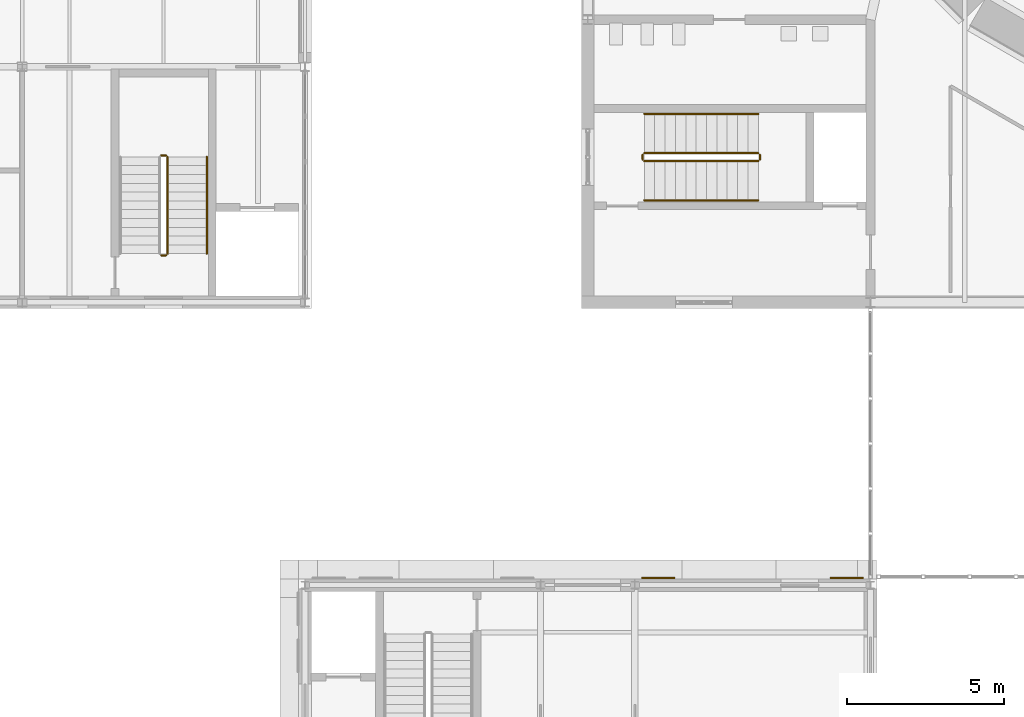
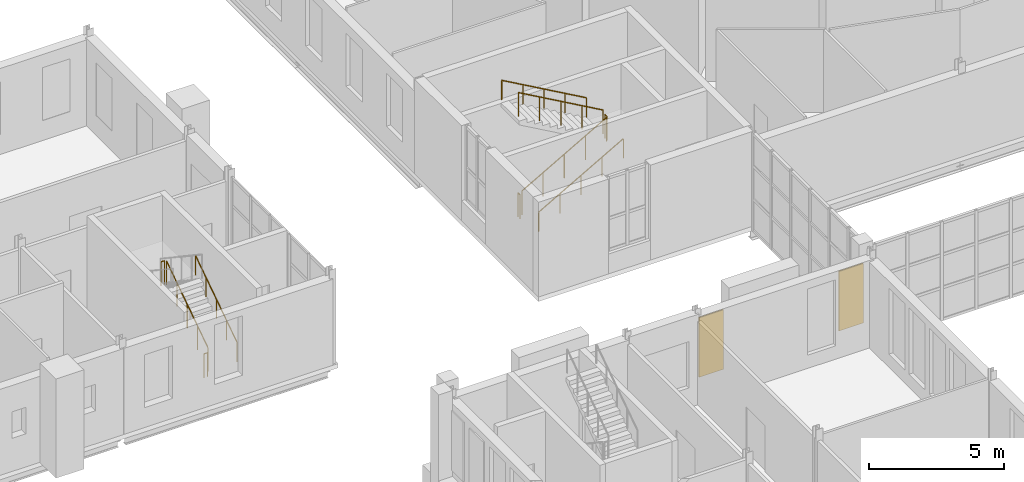
# One storey, part 119 of 131: 10 railings, 2 coverings.
"""IFC4 building model written with IfcOpenShell, lengths in metres."""

from ifc_helpers import new_model, si_unit, direction, frame, origin, origin_2d, place, context, subcontext, project, spatial, polyline, circle, outline, extrude, material, layer, layer_set, type_object, element, save


model = new_model("IFC4")

# Units and contexts
model_context = context("Model", 3, precision=1e-05, world=origin(), true_north=direction((0.0, 1.0)))
body_context = subcontext(model_context, "Body", "Model", "MODEL_VIEW")
ifc_project = project(units=[si_unit("LENGTHUNIT", "METRE"), si_unit("AREAUNIT", "SQUARE_METRE"), si_unit("VOLUMEUNIT", "CUBIC_METRE"), si_unit("PLANEANGLEUNIT", "RADIAN"), si_unit("MASSUNIT", "GRAM", prefix="KILO")], contexts=[model_context])

# Site, building, storey
site_placement = place(None, origin())
site = spatial("IfcSite", under=ifc_project, at=site_placement, CompositionType="ELEMENT")
building_placement = place(site_placement, origin())
building = spatial("IfcBuilding", under=site, at=building_placement, Name="Golden Quay Civic Hall", CompositionType="ELEMENT")
storey_placement = place(building_placement, frame((0.0, 0.0, 9.89990234375)))
storey = spatial("IfcBuildingStorey", under=building, at=storey_placement, Name="L02", CompositionType="ELEMENT", Elevation=9.89990234375)

# Railings
ifc_material_1 = material(Name="Steel S355", Category="steel")
railing_type_1 = type_object("IfcRailingType", Name="Steel guard 1100", PredefinedType="GUARDRAIL", material=ifc_material_1)
railing_1_placement = place(storey_placement, frame((64.800048828125, 67.5, 0.1875)))
element("IfcRailing", 1, at=railing_1_placement, inside=storey, type_object=railing_type_1, Name="L02 CB-SW stair guard 1", PredefinedType="GUARDRAIL", context=body_context, shape_type="SweptSolid", body=[
    extrude(circle(Radius=0.02392578125, at=origin_2d()), frame((0.0, 0.0, 1.076171875), z_axis=(0.869449707104, 0.0, 0.494021463923), x_axis=(0.0, 1.0, 0.0)), (0.0, 0.0, 1.0), 4.1748046875),
    extrude(circle(Radius=0.02099609375, at=origin_2d()), origin(), (0.0, 0.0, 1.0), 1.052001953125),
    extrude(circle(Radius=0.02099609375, at=origin_2d()), frame((0.907470703125, 0.0, 0.515625)), (0.0, 0.0, 1.0), 1.052001953125),
    extrude(circle(Radius=0.02099609375, at=origin_2d()), frame((1.81494140625, 0.0, 1.03125)), (0.0, 0.0, 1.0), 1.052001953125),
    extrude(circle(Radius=0.02099609375, at=origin_2d()), frame((2.722412109375, 0.0, 1.546875)), (0.0, 0.0, 1.0), 1.052001953125),
    extrude(circle(Radius=0.02099609375, at=origin_2d()), frame((3.6298828125, 0.0, 2.0625)), (0.0, 0.0, 1.0), 1.052001953125),
])
railing_2_placement = place(storey_placement, frame((68.47998046875, 67.550048828125, 2.25)))
element("IfcRailing", 2, at=railing_2_placement, inside=storey, type_object=railing_type_1, Name="L02 CB-SW stair guard 2", PredefinedType="GUARDRAIL", context=body_context, shape_type="SweptSolid", body=[
    extrude(circle(Radius=0.02392578125, at=origin_2d()), frame((0.0, 0.0, 1.076171875), z_axis=(0.0, 1.0, 0.0), x_axis=(-1.0, 0.0, 0.0)), (0.0, 0.0, 1.0), 0.14990234375),
    extrude(circle(Radius=0.02099609375, at=origin_2d()), origin(), (0.0, 0.0, 1.0), 1.052001953125),
    extrude(circle(Radius=0.02099609375, at=origin_2d()), frame((0.0, 0.14990234375, 0.0)), (0.0, 0.0, 1.0), 1.052001953125),
])
railing_3_placement = place(storey_placement, frame((68.429931640625, 67.75, 2.4375)))
element("IfcRailing", 3, at=railing_3_placement, inside=storey, type_object=railing_type_1, Name="L02 CB-SW stair guard 3", PredefinedType="GUARDRAIL", context=body_context, shape_type="SweptSolid", body=[
    extrude(circle(Radius=0.02392578125, at=origin_2d()), frame((0.0, 0.0, 1.076171875), z_axis=(-0.869449707104, 0.0, 0.494021463923), x_axis=(0.0, -1.0, 0.0)), (0.0, 0.0, 1.0), 4.1748046875),
    extrude(circle(Radius=0.02099609375, at=origin_2d()), origin(), (0.0, 0.0, 1.0), 1.052001953125),
    extrude(circle(Radius=0.02099609375, at=origin_2d()), frame((-0.907470703125, 0.0, 0.515625)), (0.0, 0.0, 1.0), 1.052001953125),
    extrude(circle(Radius=0.02099609375, at=origin_2d()), frame((-1.81494140625, 0.0, 1.03125)), (0.0, 0.0, 1.0), 1.052001953125),
    extrude(circle(Radius=0.02099609375, at=origin_2d()), frame((-2.722412109375, 0.0, 1.546875)), (0.0, 0.0, 1.0), 1.052001953125),
    extrude(circle(Radius=0.02099609375, at=origin_2d()), frame((-3.6298828125, 0.0, 2.0625)), (0.0, 0.0, 1.0), 1.052001953125),
])
railing_4_placement = place(storey_placement, frame((64.75, 67.550048828125, 0.0)))
element("IfcRailing", 4, at=railing_4_placement, inside=storey, type_object=railing_type_1, Name="L02 CB-SW stair guard 4", PredefinedType="GUARDRAIL", context=body_context, shape_type="SweptSolid", body=[
    extrude(circle(Radius=0.02392578125, at=origin_2d()), frame((0.0, 0.0, 1.076171875), z_axis=(0.0, 1.0, 0.0), x_axis=(-1.0, 0.0, 0.0)), (0.0, 0.0, 1.0), 0.14990234375),
    extrude(circle(Radius=0.02099609375, at=origin_2d()), origin(), (0.0, 0.0, 1.0), 1.052001953125),
    extrude(circle(Radius=0.02099609375, at=origin_2d()), frame((0.0, 0.14990234375, 0.0)), (0.0, 0.0, 1.0), 1.052001953125),
])
railing_5_placement = place(storey_placement, frame((49.625, 64.550048828125, 0.1875)))
element("IfcRailing", 5, at=railing_5_placement, inside=storey, type_object=railing_type_1, Name="L02 NW-E stair guard 1", PredefinedType="GUARDRAIL", context=body_context, shape_type="SweptSolid", body=[
    extrude(circle(Radius=0.02392578125, at=origin_2d()), frame((0.0, 0.0, 1.076171875), z_axis=(0.0, 0.830893310487, 0.556431762742), x_axis=(-1.0, 0.0, 0.0)), (0.0, 0.0, 1.0), 3.70654296875),
    extrude(circle(Radius=0.02099609375, at=origin_2d()), origin(), (0.0, 0.0, 1.0), 1.052001953125),
    extrude(circle(Radius=0.02099609375, at=origin_2d()), frame((0.0, 0.77001953125, 0.515625)), (0.0, 0.0, 1.0), 1.052001953125),
    extrude(circle(Radius=0.02099609375, at=origin_2d()), frame((0.0, 1.5400390625, 1.03125)), (0.0, 0.0, 1.0), 1.052001953125),
    extrude(circle(Radius=0.02099609375, at=origin_2d()), frame((0.0, 2.309814453125, 1.546875)), (0.0, 0.0, 1.0), 1.052001953125),
    extrude(circle(Radius=0.02099609375, at=origin_2d()), frame((0.0, 3.079833984375, 2.0625)), (0.0, 0.0, 1.0), 1.052001953125),
])
for number, where, name in (
    (6, (49.574951171875, 67.679931640625, 2.25), "L02 NW-E stair guard 2"),
    (7, (49.574951171875, 64.5, 0.0), "L02 NW-E stair guard 4"),
):
    element("IfcRailing", number, at=place(storey_placement, frame(where)), inside=storey, type_object=railing_type_1, Name=name, PredefinedType="GUARDRAIL", context=body_context, shape_type="SweptSolid", body=[
        extrude(circle(Radius=0.02392578125, at=origin_2d()), frame((0.0, 0.0, 1.076171875), z_axis=(-1.0, 0.0, 0.0), x_axis=(0.0, -1.0, 0.0)), (0.0, 0.0, 1.0), 0.14990234375),
        extrude(circle(Radius=0.02099609375, at=origin_2d()), origin(), (0.0, 0.0, 1.0), 1.052001953125),
        extrude(circle(Radius=0.02099609375, at=origin_2d()), frame((-0.14990234375, 0.0, 0.0)), (0.0, 0.0, 1.0), 1.052001953125),
    ])
ifc_material_2 = material(Name="Steel S355", Category="steel")
railing_type_2 = type_object("IfcRailingType", Name="Steel handrail 900", PredefinedType="HANDRAIL", material=ifc_material_2)
railing_6_placement = place(storey_placement, frame((64.800048828125, 66.25, 0.1875)))
element("IfcRailing", 8, at=railing_6_placement, inside=storey, type_object=railing_type_2, Name="L02 CB-SW stair handrail 1", PredefinedType="HANDRAIL", context=body_context, shape_type="SweptSolid", body=[
    extrude(circle(Radius=0.02392578125, at=origin_2d()), frame((0.0, 0.0, 0.8759765625), z_axis=(0.869449707104, 0.0, 0.494021463923), x_axis=(0.0, 1.0, 0.0)), (0.0, 0.0, 1.0), 4.1748046875),
    extrude(circle(Radius=0.02099609375, at=origin_2d()), origin(), (0.0, 0.0, 1.0), 0.851806640625),
    extrude(circle(Radius=0.02099609375, at=origin_2d()), frame((0.907470703125, 0.0, 0.515625)), (0.0, 0.0, 1.0), 0.851806640625),
    extrude(circle(Radius=0.02099609375, at=origin_2d()), frame((1.81494140625, 0.0, 1.03125)), (0.0, 0.0, 1.0), 0.851806640625),
    extrude(circle(Radius=0.02099609375, at=origin_2d()), frame((2.722412109375, 0.0, 1.546875)), (0.0, 0.0, 1.0), 0.851806640625),
    extrude(circle(Radius=0.02099609375, at=origin_2d()), frame((3.6298828125, 0.0, 2.0625)), (0.0, 0.0, 1.0), 0.851806640625),
])
railing_7_placement = place(storey_placement, frame((68.429931640625, 69.0, 2.4375)))
element("IfcRailing", 9, at=railing_7_placement, inside=storey, type_object=railing_type_2, Name="L02 CB-SW stair handrail 2", PredefinedType="HANDRAIL", context=body_context, shape_type="SweptSolid", body=[
    extrude(circle(Radius=0.02392578125, at=origin_2d()), frame((0.0, 0.0, 0.8759765625), z_axis=(-0.869449707104, 0.0, 0.494021463923), x_axis=(0.0, -1.0, 0.0)), (0.0, 0.0, 1.0), 4.1748046875),
    extrude(circle(Radius=0.02099609375, at=origin_2d()), origin(), (0.0, 0.0, 1.0), 0.851806640625),
    extrude(circle(Radius=0.02099609375, at=origin_2d()), frame((-0.907470703125, 0.0, 0.515625)), (0.0, 0.0, 1.0), 0.851806640625),
    extrude(circle(Radius=0.02099609375, at=origin_2d()), frame((-1.81494140625, 0.0, 1.03125)), (0.0, 0.0, 1.0), 0.851806640625),
    extrude(circle(Radius=0.02099609375, at=origin_2d()), frame((-2.722412109375, 0.0, 1.546875)), (0.0, 0.0, 1.0), 0.851806640625),
    extrude(circle(Radius=0.02099609375, at=origin_2d()), frame((-3.6298828125, 0.0, 2.0625)), (0.0, 0.0, 1.0), 0.851806640625),
])
railing_8_placement = place(storey_placement, frame((50.875, 64.550048828125, 0.1875)))
element("IfcRailing", 10, at=railing_8_placement, inside=storey, type_object=railing_type_2, Name="L02 NW-E stair handrail 1", PredefinedType="HANDRAIL", context=body_context, shape_type="SweptSolid", body=[
    extrude(circle(Radius=0.02392578125, at=origin_2d()), frame((0.0, 0.0, 0.8759765625), z_axis=(0.0, 0.830893310487, 0.556431762742), x_axis=(-1.0, 0.0, 0.0)), (0.0, 0.0, 1.0), 3.70654296875),
    extrude(circle(Radius=0.02099609375, at=origin_2d()), origin(), (0.0, 0.0, 1.0), 0.851806640625),
    extrude(circle(Radius=0.02099609375, at=origin_2d()), frame((0.0, 0.77001953125, 0.515625)), (0.0, 0.0, 1.0), 0.851806640625),
    extrude(circle(Radius=0.02099609375, at=origin_2d()), frame((0.0, 1.5400390625, 1.03125)), (0.0, 0.0, 1.0), 0.851806640625),
    extrude(circle(Radius=0.02099609375, at=origin_2d()), frame((0.0, 2.309814453125, 1.546875)), (0.0, 0.0, 1.0), 0.851806640625),
    extrude(circle(Radius=0.02099609375, at=origin_2d()), frame((0.0, 3.079833984375, 2.0625)), (0.0, 0.0, 1.0), 0.851806640625),
])

# Coverings
ifc_material_3 = material(Name="Terracotta cladding, golden glaze", Category="masonry")
ifc_layer = layer(ifc_material_3, 0.050048828125)
ifc_layer_set = layer_set([ifc_layer], Name="Terracotta solid panel 1050 x 2700 x 50")
covering_type = type_object("IfcCoveringType", Name="Terracotta solid panel 1050 x 2700 x 50", PredefinedType="CLADDING", material=ifc_layer_set)
covering_1_placement = place(storey_placement, frame((0.0, 0.0, 0.900146484375)))
element("IfcCovering", 11, at=covering_1_placement, inside=storey, type_object=covering_type, Name="Terracotta solid panel 1050 x 2700 x 50 L02 22", PredefinedType="CLADDING", context=body_context, shape_type="SweptSolid", body=[
    extrude(outline(polyline([(64.72509765625, 54.199951171875), (65.77490234375, 54.199951171875), (65.77490234375, 54.25), (64.72509765625, 54.25), (64.72509765625, 54.199951171875)])), origin(), (0.0, 0.0, 1.0), 2.699951171875),
])
covering_2_placement = place(storey_placement, frame((0.0, 0.0, 0.900146484375)))
element("IfcCovering", 12, at=covering_2_placement, inside=storey, type_object=covering_type, Name="Terracotta solid panel 1050 x 2700 x 50 L02 23", PredefinedType="CLADDING", context=body_context, shape_type="SweptSolid", body=[
    extrude(outline(polyline([(70.72509765625, 54.199951171875), (71.77490234375, 54.199951171875), (71.77490234375, 54.25), (70.72509765625, 54.25), (70.72509765625, 54.199951171875)])), origin(), (0.0, 0.0, 1.0), 2.699951171875),
])

save(model, "model.ifc")
